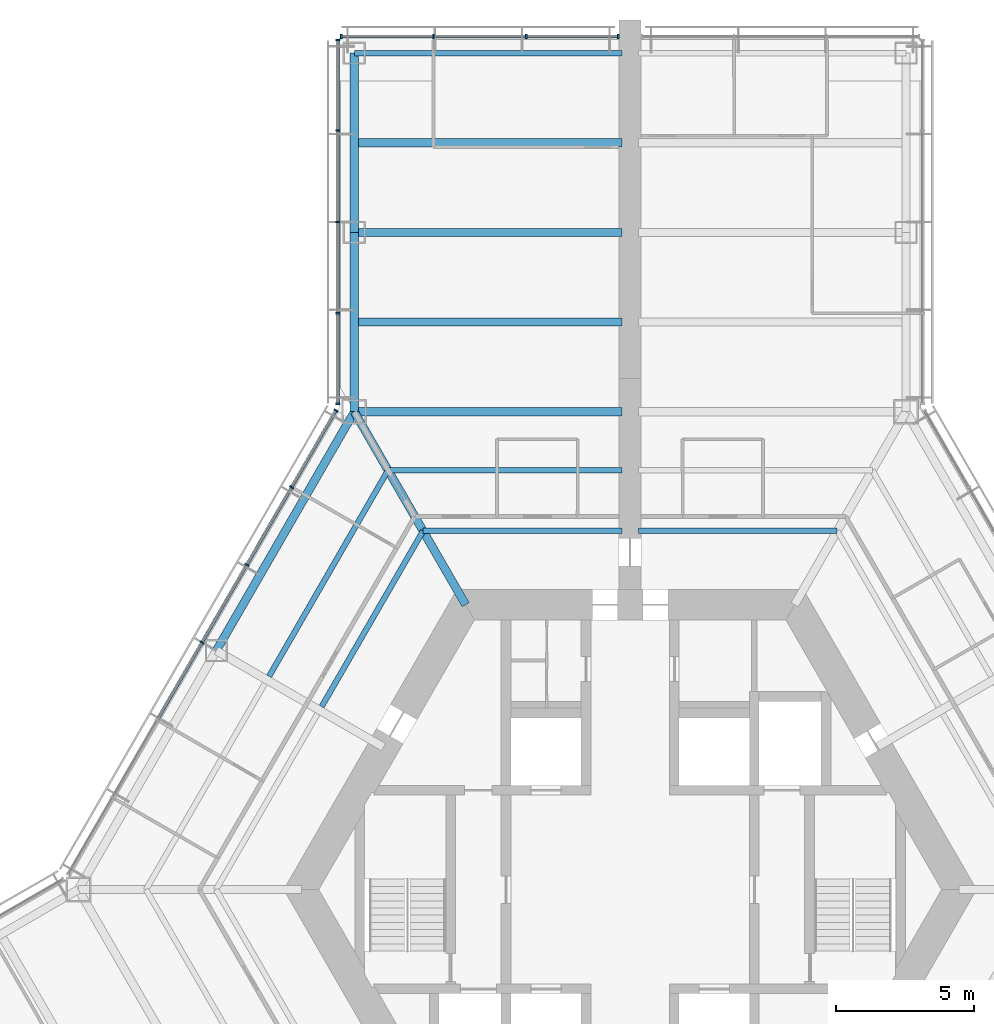
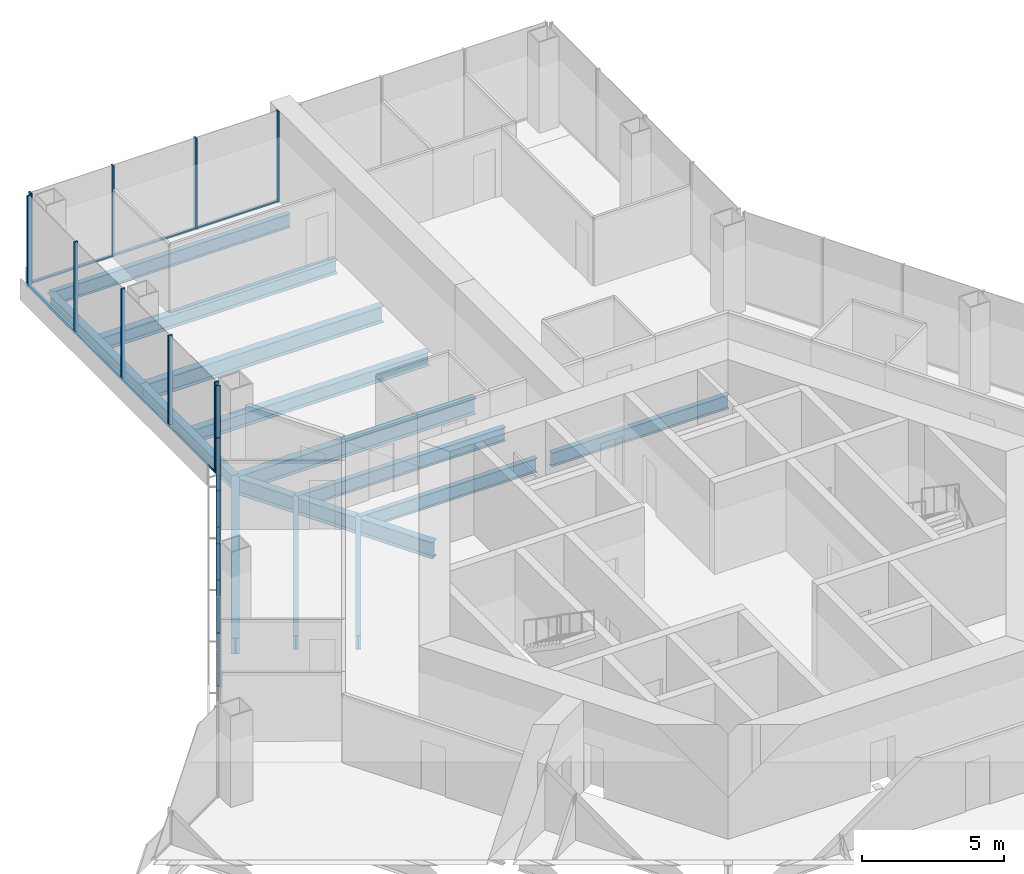
# One storey, part 7 of 18: 24 members, 14 beams, 3 elements without a shape of their own.
"""IFC4 building model written with IfcOpenShell, lengths in metres."""

from ifc_helpers import new_model, si_unit, direction, frame, origin, origin_2d, place, context, subcontext, project, spatial, rectangle, i_section, extrude, material, material_profile, profile_set, type_object, element, aggregate, save


model = new_model("IFC4")

# Units and contexts
model_context = context("Model", 3, precision=1e-05, world=origin(), true_north=direction((0.0, 1.0)))
body_context = subcontext(model_context, "Body", "Model", "MODEL_VIEW")
ifc_project = project(units=[si_unit("LENGTHUNIT", "METRE"), si_unit("AREAUNIT", "SQUARE_METRE"), si_unit("VOLUMEUNIT", "CUBIC_METRE"), si_unit("PLANEANGLEUNIT", "RADIAN"), si_unit("MASSUNIT", "GRAM", prefix="KILO")], contexts=[model_context])

# Site, building, storey
site_placement = place(None, origin())
site = spatial("IfcSite", under=ifc_project, at=site_placement, CompositionType="ELEMENT")
building_placement = place(site_placement, origin())
building = spatial("IfcBuilding", under=site, at=building_placement, Name="Kasaneha Research Tower", CompositionType="ELEMENT")
storey_placement = place(building_placement, frame((0.0, 0.0, 80.699951171875)))
storey = spatial("IfcBuildingStorey", under=building, at=storey_placement, Name="L20", CompositionType="ELEMENT", Elevation=80.699951171875)

# Beams
ifc_material_1 = material(Name="Steel SN490B", Category="steel")
ifc_material_profile_1 = material_profile(ifc_material_1, i_section(OverallWidth=0.199951171875, OverallDepth=0.60009765625, WebThickness=0.010986328125, FlangeThickness=0.01708984375, FilletRadius=0.012939453125, at=origin_2d()), Name="H-600x200x11x17")
ifc_profile_set_1 = profile_set([ifc_material_profile_1], Name="Steel SN490B")
beam_type_1 = type_object("IfcBeamType", Name="B1-3 secondary beam H-600x200x11x17", PredefinedType="JOIST", material=ifc_profile_set_1)
for number, where, z_axis, x_axis, name in (
    (1, (7.505615234375, 13.0, -0.449951171875), (-1.0, 0.0, 0.0), (0.0, -1.0, 0.0), "Secondary beam RS090L1 L20"),
    (2, (-7.505615234375, 13.0, -0.449951171875), (1.0, 0.0, 0.0), (0.0, 1.0, 0.0), "Secondary beam RS090R1 L20"),
):
    element("IfcBeam", number, at=place(storey_placement, frame(where, z_axis=z_axis, x_axis=x_axis)), inside=storey, type_object=beam_type_1, Name=name, PredefinedType="JOIST", context=body_context, shape_type="SweptSolid", body=[
        extrude(i_section(OverallWidth=0.199951171875, OverallDepth=0.60009765625, WebThickness=0.010986328125, FlangeThickness=0.01708984375, FilletRadius=0.012939453125, at=origin_2d()), origin(), (0.0, 0.0, 1.0), 7.20556640625),
    ])
beam_1_placement = place(storey_placement, frame((-8.775634765625, 15.199951171875, -0.449951171875), z_axis=(1.0, 0.0, 0.0), x_axis=(0.0, 1.0, 0.0)))
element("IfcBeam", 3, at=beam_1_placement, inside=storey, type_object=beam_type_1, Name="Secondary beam RS090R2 L20", PredefinedType="JOIST", context=body_context, shape_type="SweptSolid", body=[
    extrude(i_section(OverallWidth=0.199951171875, OverallDepth=0.60009765625, WebThickness=0.010986328125, FlangeThickness=0.01708984375, FilletRadius=0.012939453125, at=origin_2d()), origin(), (0.0, 0.0, 1.0), 8.4755859375),
])
beam_2_placement = place(storey_placement, frame((-7.505615234375, 13.0, -0.449951171875), z_axis=(-0.499994443168, -0.866028611999, 0.0), x_axis=(0.866028611999, -0.499994443168, 0.0)))
element("IfcBeam", 4, at=beam_2_placement, inside=storey, type_object=beam_type_1, Name="Secondary beam RS150L1 L20", PredefinedType="JOIST", context=body_context, shape_type="SweptSolid", body=[
    extrude(i_section(OverallWidth=0.199951171875, OverallDepth=0.60009765625, WebThickness=0.010986328125, FlangeThickness=0.01708984375, FilletRadius=0.012939453125, at=origin_2d()), origin(), (0.0, 0.0, 1.0), 7.35546875),
])
beam_3_placement = place(storey_placement, frame((-8.775634765625, 15.199951171875, -0.449951171875), z_axis=(-0.500017275495, -0.866015429543, 0.0), x_axis=(0.866015429543, -0.500017275495, 0.0)))
element("IfcBeam", 5, at=beam_3_placement, inside=storey, type_object=beam_type_1, Name="Secondary beam RS150L2 L20", PredefinedType="JOIST", context=body_context, shape_type="SweptSolid", body=[
    extrude(i_section(OverallWidth=0.199951171875, OverallDepth=0.60009765625, WebThickness=0.010986328125, FlangeThickness=0.01708984375, FilletRadius=0.012939453125, at=origin_2d()), origin(), (0.0, 0.0, 1.0), 8.625732421875),
])
ifc_material_2 = material(Name="Steel SN490B", Category="steel")
ifc_material_profile_2 = material_profile(ifc_material_2, i_section(OverallWidth=0.300048828125, OverallDepth=0.58203125, WebThickness=0.011962890625, FlangeThickness=0.01708984375, FilletRadius=0.012939453125, at=origin_2d()), Name="H-582x300x12x17")
ifc_profile_set_2 = profile_set([ifc_material_profile_2], Name="Steel SN490B")
beam_type_2 = type_object("IfcBeamType", Name="B2-3 secondary beam H-582x300x12x17", PredefinedType="JOIST", material=ifc_profile_set_2)
for number, where, z_axis, x_axis, name in (
    (6, (-10.0, 20.570556640625, -0.44091796875), (1.0, 0.0, 0.0), (0.0, 1.0, 0.0), "Secondary beam WBAN1 L20"),
    (7, (-10.0, 27.070556640625, -0.44091796875), (1.0, 0.0, 0.0), (0.0, 1.0, 0.0), "Secondary beam WBAN2 L20"),
):
    element("IfcBeam", number, at=place(storey_placement, frame(where, z_axis=z_axis, x_axis=x_axis)), inside=storey, type_object=beam_type_2, Name=name, PredefinedType="JOIST", context=body_context, shape_type="SweptSolid", body=[
        extrude(i_section(OverallWidth=0.300048828125, OverallDepth=0.58203125, WebThickness=0.011962890625, FlangeThickness=0.01708984375, FilletRadius=0.012939453125, at=origin_2d()), origin(), (0.0, 0.0, 1.0), 9.699951171875),
    ])

# Curtain wall, members
ifc_material_3 = material(Name="Glass and aluminium", Category="aluminium")
curtain_wall_type = type_object("IfcCurtainWallType", Name="Low-rise office curtain wall", PredefinedType="USERDEFINED", material=ifc_material_3)
curtain_wall_1_placement = place(storey_placement, origin())
curtain_wall_1 = element("IfcCurtainWall", 8, at=curtain_wall_1_placement, inside=storey, type_object=curtain_wall_type, Name="CW-O1 L20 run 10a", ObjectType="UNITISED CURTAIN WALL", PredefinedType="USERDEFINED")
ifc_material_4 = material(Name="Aluminium 6063-T6", Category="aluminium")
ifc_material_profile_3 = material_profile(ifc_material_4, rectangle(XDim=0.06005859375, YDim=0.159912109375, at=origin_2d()), Name="CW-O1 mullion 60x160")
ifc_profile_set_3 = profile_set([ifc_material_profile_3], Name="Aluminium 6063-T6")
member_type_1 = type_object("IfcMemberType", Name="CW-O1 mullion", PredefinedType="MULLION", material=ifc_profile_set_3)
member_1_placement = place(storey_placement, frame((-0.429931640625, 30.92041015625, 0.0), z_axis=(0.0, 0.0, 1.0), x_axis=(-1.0, 0.0, 0.0)))
member_1 = element("IfcMember", 9, at=member_1_placement, type_object=member_type_1, Name="CW-O1 mullion 1", PredefinedType="MULLION", context=body_context, shape_type="SweptSolid", body=[
    extrude(rectangle(XDim=0.06005859375, YDim=0.159912109375, at=origin_2d()), origin(), (0.0, 0.0, 1.0), 3.900146484375),
])
member_2_placement = place(storey_placement, frame((-3.7666015625, 30.92041015625, 0.0), z_axis=(0.0, 0.0, 1.0), x_axis=(-1.0, 0.0, 0.0)))
member_2 = element("IfcMember", 10, at=member_2_placement, type_object=member_type_1, Name="CW-O1 mullion 2", PredefinedType="MULLION", context=body_context, shape_type="SweptSolid", body=[
    extrude(rectangle(XDim=0.06005859375, YDim=0.159912109375, at=origin_2d()), origin(), (0.0, 0.0, 1.0), 3.900146484375),
])
member_3_placement = place(storey_placement, frame((-7.13330078125, 30.92041015625, 0.0), z_axis=(0.0, 0.0, 1.0), x_axis=(-1.0, 0.0, 0.0)))
member_3 = element("IfcMember", 11, at=member_3_placement, type_object=member_type_1, Name="CW-O1 mullion 3", PredefinedType="MULLION", context=body_context, shape_type="SweptSolid", body=[
    extrude(rectangle(XDim=0.06005859375, YDim=0.159912109375, at=origin_2d()), origin(), (0.0, 0.0, 1.0), 3.900146484375),
])
member_4_placement = place(storey_placement, frame((-10.469970703125, 30.92041015625, 0.0), z_axis=(0.0, 0.0, 1.0), x_axis=(-1.0, 0.0, 0.0)))
member_4 = element("IfcMember", 12, at=member_4_placement, type_object=member_type_1, Name="CW-O1 mullion 4", PredefinedType="MULLION", context=body_context, shape_type="SweptSolid", body=[
    extrude(rectangle(XDim=0.06005859375, YDim=0.159912109375, at=origin_2d()), origin(), (0.0, 0.0, 1.0), 3.900146484375),
])

curtain_wall_2_placement = place(storey_placement, origin())
curtain_wall_2 = element("IfcCurtainWall", 13, at=curtain_wall_2_placement, inside=storey, type_object=curtain_wall_type, Name="CW-O1 L20 run 11a", ObjectType="UNITISED CURTAIN WALL", PredefinedType="USERDEFINED")
member_5_placement = place(storey_placement, frame((-10.60009765625, 30.79052734375, 0.0), z_axis=(0.0, 0.0, 1.0), x_axis=(0.0, -1.0, 0.0)))
member_5 = element("IfcMember", 14, at=member_5_placement, type_object=member_type_1, Name="CW-O1 mullion 1", PredefinedType="MULLION", context=body_context, shape_type="SweptSolid", body=[
    extrude(rectangle(XDim=0.06005859375, YDim=0.159912109375, at=origin_2d()), origin(), (0.0, 0.0, 1.0), 3.900146484375),
])
member_6_placement = place(storey_placement, frame((-10.60009765625, 27.5107421875, 0.0), z_axis=(0.0, 0.0, 1.0), x_axis=(0.0, -1.0, 0.0)))
member_6 = element("IfcMember", 15, at=member_6_placement, type_object=member_type_1, Name="CW-O1 mullion 2", PredefinedType="MULLION", context=body_context, shape_type="SweptSolid", body=[
    extrude(rectangle(XDim=0.06005859375, YDim=0.159912109375, at=origin_2d()), origin(), (0.0, 0.0, 1.0), 3.900146484375),
])
member_7_placement = place(storey_placement, frame((-10.60009765625, 24.200927734375, 0.0), z_axis=(0.0, 0.0, 1.0), x_axis=(0.0, -1.0, 0.0)))
member_7 = element("IfcMember", 16, at=member_7_placement, type_object=member_type_1, Name="CW-O1 mullion 3", PredefinedType="MULLION", context=body_context, shape_type="SweptSolid", body=[
    extrude(rectangle(XDim=0.06005859375, YDim=0.159912109375, at=origin_2d()), origin(), (0.0, 0.0, 1.0), 3.900146484375),
])
member_8_placement = place(storey_placement, frame((-10.60009765625, 20.89111328125, 0.0), z_axis=(0.0, 0.0, 1.0), x_axis=(0.0, -1.0, 0.0)))
member_8 = element("IfcMember", 17, at=member_8_placement, type_object=member_type_1, Name="CW-O1 mullion 4", PredefinedType="MULLION", context=body_context, shape_type="SweptSolid", body=[
    extrude(rectangle(XDim=0.06005859375, YDim=0.159912109375, at=origin_2d()), origin(), (0.0, 0.0, 1.0), 3.900146484375),
])
member_9_placement = place(storey_placement, frame((-10.60009765625, 17.611328125, 0.0), z_axis=(0.0, 0.0, 1.0), x_axis=(0.0, -1.0, 0.0)))
member_9 = element("IfcMember", 18, at=member_9_placement, type_object=member_type_1, Name="CW-O1 mullion 5", PredefinedType="MULLION", context=body_context, shape_type="SweptSolid", body=[
    extrude(rectangle(XDim=0.06005859375, YDim=0.159912109375, at=origin_2d()), origin(), (0.0, 0.0, 1.0), 3.900146484375),
])

curtain_wall_3_placement = place(storey_placement, origin())
curtain_wall_3 = element("IfcCurtainWall", 19, at=curtain_wall_3_placement, inside=storey, type_object=curtain_wall_type, Name="CW-O1 L20 run 12a", ObjectType="UNITISED CURTAIN WALL", PredefinedType="USERDEFINED")
member_10_placement = place(storey_placement, frame((-10.6650390625, 17.36865234375, 0.0), z_axis=(0.0, 0.0, 1.0), x_axis=(-0.49999996188, -0.866025425793, 0.0)))
member_10 = element("IfcMember", 20, at=member_10_placement, type_object=member_type_1, Name="CW-O1 mullion 1", PredefinedType="MULLION", context=body_context, shape_type="SweptSolid", body=[
    extrude(rectangle(XDim=0.06005859375, YDim=0.159912109375, at=origin_2d()), origin(), (0.0, 0.0, 1.0), 3.900146484375),
])
member_11_placement = place(storey_placement, frame((-12.273193359375, 14.583251953125, 0.0), z_axis=(0.0, 0.0, 1.0), x_axis=(-0.49999996188, -0.866025425793, 0.0)))
member_11 = element("IfcMember", 21, at=member_11_placement, type_object=member_type_1, Name="CW-O1 mullion 2", PredefinedType="MULLION", context=body_context, shape_type="SweptSolid", body=[
    extrude(rectangle(XDim=0.06005859375, YDim=0.159912109375, at=origin_2d()), origin(), (0.0, 0.0, 1.0), 3.900146484375),
])
member_12_placement = place(storey_placement, frame((-13.896484375, 11.771728515625, 0.0), z_axis=(0.0, 0.0, 1.0), x_axis=(-0.49999996188, -0.866025425793, 0.0)))
member_12 = element("IfcMember", 22, at=member_12_placement, type_object=member_type_1, Name="CW-O1 mullion 3", PredefinedType="MULLION", context=body_context, shape_type="SweptSolid", body=[
    extrude(rectangle(XDim=0.06005859375, YDim=0.159912109375, at=origin_2d()), origin(), (0.0, 0.0, 1.0), 3.900146484375),
])
member_13_placement = place(storey_placement, frame((-15.51953125, 8.960205078125, 0.0), z_axis=(0.0, 0.0, 1.0), x_axis=(-0.49999996188, -0.866025425793, 0.0)))
member_13 = element("IfcMember", 23, at=member_13_placement, type_object=member_type_1, Name="CW-O1 mullion 4", PredefinedType="MULLION", context=body_context, shape_type="SweptSolid", body=[
    extrude(rectangle(XDim=0.06005859375, YDim=0.159912109375, at=origin_2d()), origin(), (0.0, 0.0, 1.0), 3.900146484375),
])

# Member
ifc_material_5 = material(Name="Aluminium 6063-T6", Category="aluminium")
ifc_material_profile_4 = material_profile(ifc_material_5, rectangle(XDim=0.1201171875, YDim=0.06005859375, at=origin_2d()), Name="CW-O1 transom 120x60")
ifc_profile_set_4 = profile_set([ifc_material_profile_4], Name="Aluminium 6063-T6")
member_type_2 = type_object("IfcMemberType", Name="CW-O1 transom", PredefinedType="USERDEFINED", material=ifc_profile_set_4)
member_14_placement = place(storey_placement, frame((-0.4599609375, 30.92041015625, 0.030029296875), z_axis=(-1.0, 0.0, 0.0), x_axis=(0.0, -1.0, 0.0)))
member_14 = element("IfcMember", 24, at=member_14_placement, type_object=member_type_2, Name="CW-O1 transom 1", ObjectType="TRANSOM", PredefinedType="USERDEFINED", context=body_context, shape_type="SweptSolid", body=[
    extrude(rectangle(XDim=0.1201171875, YDim=0.06005859375, at=origin_2d()), origin(), (0.0, 0.0, 1.0), 3.276611328125),
])

member_15_placement = place(storey_placement, frame((-3.796630859375, 30.92041015625, 0.030029296875), z_axis=(-1.0, 0.0, 0.0), x_axis=(0.0, -1.0, 0.0)))
member_15 = element("IfcMember", 25, at=member_15_placement, type_object=member_type_2, Name="CW-O1 transom 2", ObjectType="TRANSOM", PredefinedType="USERDEFINED", context=body_context, shape_type="SweptSolid", body=[
    extrude(rectangle(XDim=0.1201171875, YDim=0.06005859375, at=origin_2d()), origin(), (0.0, 0.0, 1.0), 3.306640625),
])

member_16_placement = place(storey_placement, frame((-7.163330078125, 30.92041015625, 0.030029296875), z_axis=(-1.0, 0.0, 0.0), x_axis=(0.0, -1.0, 0.0)))
member_16 = element("IfcMember", 26, at=member_16_placement, type_object=member_type_2, Name="CW-O1 transom 3", ObjectType="TRANSOM", PredefinedType="USERDEFINED", context=body_context, shape_type="SweptSolid", body=[
    extrude(rectangle(XDim=0.1201171875, YDim=0.06005859375, at=origin_2d()), origin(), (0.0, 0.0, 1.0), 3.276611328125),
])

aggregate(curtain_wall_1, [member_1, member_2, member_3, member_4, member_14, member_15, member_16])

member_17_placement = place(storey_placement, frame((-10.60009765625, 30.760498046875, 0.030029296875), z_axis=(0.0, -1.0, 0.0), x_axis=(1.0, 0.0, 0.0)))
member_17 = element("IfcMember", 27, at=member_17_placement, type_object=member_type_2, Name="CW-O1 transom 1", ObjectType="TRANSOM", PredefinedType="USERDEFINED", context=body_context, shape_type="SweptSolid", body=[
    extrude(rectangle(XDim=0.1201171875, YDim=0.06005859375, at=origin_2d()), origin(), (0.0, 0.0, 1.0), 3.2197265625),
])

member_18_placement = place(storey_placement, frame((-10.60009765625, 27.480712890625, 0.030029296875), z_axis=(0.0, -1.0, 0.0), x_axis=(1.0, 0.0, 0.0)))
member_18 = element("IfcMember", 28, at=member_18_placement, type_object=member_type_2, Name="CW-O1 transom 2", ObjectType="TRANSOM", PredefinedType="USERDEFINED", context=body_context, shape_type="SweptSolid", body=[
    extrude(rectangle(XDim=0.1201171875, YDim=0.06005859375, at=origin_2d()), origin(), (0.0, 0.0, 1.0), 3.249755859375),
])

member_19_placement = place(storey_placement, frame((-10.60009765625, 24.1708984375, 0.030029296875), z_axis=(0.0, -1.0, 0.0), x_axis=(1.0, 0.0, 0.0)))
member_19 = element("IfcMember", 29, at=member_19_placement, type_object=member_type_2, Name="CW-O1 transom 3", ObjectType="TRANSOM", PredefinedType="USERDEFINED", context=body_context, shape_type="SweptSolid", body=[
    extrude(rectangle(XDim=0.1201171875, YDim=0.06005859375, at=origin_2d()), origin(), (0.0, 0.0, 1.0), 3.249755859375),
])

member_20_placement = place(storey_placement, frame((-10.60009765625, 20.861083984375, 0.030029296875), z_axis=(0.0, -1.0, 0.0), x_axis=(1.0, 0.0, 0.0)))
member_20 = element("IfcMember", 30, at=member_20_placement, type_object=member_type_2, Name="CW-O1 transom 4", ObjectType="TRANSOM", PredefinedType="USERDEFINED", context=body_context, shape_type="SweptSolid", body=[
    extrude(rectangle(XDim=0.1201171875, YDim=0.06005859375, at=origin_2d()), origin(), (0.0, 0.0, 1.0), 3.2197265625),
])

aggregate(curtain_wall_2, [member_5, member_6, member_7, member_8, member_9, member_17, member_18, member_19, member_20])

member_21_placement = place(storey_placement, frame((-10.679931640625, 17.3427734375, 0.030029296875), z_axis=(-0.500023726918, -0.866011704609, 0.0), x_axis=(0.866011704609, -0.500023726918, 0.0)))
member_21 = element("IfcMember", 31, at=member_21_placement, type_object=member_type_2, Name="CW-O1 transom 1", ObjectType="TRANSOM", PredefinedType="USERDEFINED", context=body_context, shape_type="SweptSolid", body=[
    extrude(rectangle(XDim=0.1201171875, YDim=0.06005859375, at=origin_2d()), origin(), (0.0, 0.0, 1.0), 3.156494140625),
])

member_22_placement = place(storey_placement, frame((-12.2880859375, 14.55712890625, 0.030029296875), z_axis=(-0.500012062035, -0.866018439653, 0.0), x_axis=(0.866018439653, -0.500012062035, 0.0)))
member_22 = element("IfcMember", 32, at=member_22_placement, type_object=member_type_2, Name="CW-O1 transom 2", ObjectType="TRANSOM", PredefinedType="USERDEFINED", context=body_context, shape_type="SweptSolid", body=[
    extrude(rectangle(XDim=0.1201171875, YDim=0.06005859375, at=origin_2d()), origin(), (0.0, 0.0, 1.0), 3.1865234375),
])

member_23_placement = place(storey_placement, frame((-13.911376953125, 11.745849609375, 0.030029296875), z_axis=(-0.500012062035, -0.866018439653, 0.0), x_axis=(0.866018439653, -0.500012062035, 0.0)))
member_23 = element("IfcMember", 33, at=member_23_placement, type_object=member_type_2, Name="CW-O1 transom 3", ObjectType="TRANSOM", PredefinedType="USERDEFINED", context=body_context, shape_type="SweptSolid", body=[
    extrude(rectangle(XDim=0.1201171875, YDim=0.06005859375, at=origin_2d()), origin(), (0.0, 0.0, 1.0), 3.1865234375),
])

member_24_placement = place(storey_placement, frame((-15.53466796875, 8.934326171875, 0.030029296875), z_axis=(-0.500012062035, -0.866018439653, 0.0), x_axis=(0.866018439653, -0.500012062035, 0.0)))
member_24 = element("IfcMember", 34, at=member_24_placement, type_object=member_type_2, Name="CW-O1 transom 4", ObjectType="TRANSOM", PredefinedType="USERDEFINED", context=body_context, shape_type="SweptSolid", body=[
    extrude(rectangle(XDim=0.1201171875, YDim=0.06005859375, at=origin_2d()), origin(), (0.0, 0.0, 1.0), 3.1865234375),
])

aggregate(curtain_wall_3, [member_10, member_11, member_12, member_13, member_21, member_22, member_23, member_24])

# Beams
ifc_material_6 = material(Name="Steel SN490B", Category="steel")
ifc_material_profile_5 = material_profile(ifc_material_6, i_section(OverallWidth=0.300048828125, OverallDepth=0.699951171875, WebThickness=0.012939453125, FlangeThickness=0.02392578125, FilletRadius=0.01806640625, at=origin_2d()), Name="H-700x300x13x24")
ifc_profile_set_5 = profile_set([ifc_material_profile_5], Name="Steel SN490B")
beam_type_3 = type_object("IfcBeamType", Name="G1-3 radial girder H-700x300x13x24", PredefinedType="BEAM", material=ifc_profile_set_5)
beam_4_placement = place(storey_placement, frame((-5.961181640625, 10.324951171875, -0.5), z_axis=(-0.49999105496, 0.866030568144, 0.0), x_axis=(-0.866030568144, -0.49999105496, 0.0)))
element("IfcBeam", 35, at=beam_4_placement, inside=storey, type_object=beam_type_3, Name="Radial girder RV120 L20", PredefinedType="BEAM", context=body_context, shape_type="SweptSolid", body=[
    extrude(i_section(OverallWidth=0.300048828125, OverallDepth=0.699951171875, WebThickness=0.012939453125, FlangeThickness=0.02392578125, FilletRadius=0.01806640625, at=origin_2d()), origin(), (0.0, 0.0, 1.0), 8.077880859375),
])
ifc_material_7 = material(Name="Steel SN490B", Category="steel")
ifc_material_profile_6 = material_profile(ifc_material_7, i_section(OverallWidth=0.300048828125, OverallDepth=0.69189453125, WebThickness=0.012939453125, FlangeThickness=0.02001953125, FilletRadius=0.01806640625, at=origin_2d()), Name="H-692x300x13x20")
ifc_profile_set_6 = profile_set([ifc_material_profile_6], Name="Steel SN490B")
beam_type_4 = type_object("IfcBeamType", Name="G3-3 plate edge girder H-692x300x13x20", PredefinedType="BEAM", material=ifc_profile_set_6)
beam_5_placement = place(storey_placement, frame((-10.0, 17.320556640625, -0.495849609375), z_axis=(1.0, 0.0, 0.0), x_axis=(0.0, 1.0, 0.0)))
element("IfcBeam", 36, at=beam_5_placement, inside=storey, type_object=beam_type_4, Name="Plate edge girder PEAN L20", PredefinedType="BEAM", context=body_context, shape_type="SweptSolid", body=[
    extrude(i_section(OverallWidth=0.300048828125, OverallDepth=0.69189453125, WebThickness=0.012939453125, FlangeThickness=0.02001953125, FilletRadius=0.01806640625, at=origin_2d()), origin(), (0.0, 0.0, 1.0), 9.699951171875),
])
ifc_material_8 = material(Name="Steel SN490B", Category="steel")
ifc_material_profile_7 = material_profile(ifc_material_8, i_section(OverallWidth=0.300048828125, OverallDepth=0.699951171875, WebThickness=0.012939453125, FlangeThickness=0.02392578125, FilletRadius=0.01806640625, at=origin_2d()), Name="H-700x300x13x24")
ifc_profile_set_7 = profile_set([ifc_material_profile_7], Name="Steel SN490B")
beam_type_5 = type_object("IfcBeamType", Name="G4-3 wing girder H-700x300x13x24", PredefinedType="BEAM", material=ifc_profile_set_7)
beam_6_placement = place(storey_placement, frame((-10.0, 23.820556640625, -0.5), z_axis=(1.0, 0.0, 0.0), x_axis=(0.0, 1.0, 0.0)))
element("IfcBeam", 37, at=beam_6_placement, inside=storey, type_object=beam_type_5, Name="Wing girder WGAN L20", PredefinedType="BEAM", context=body_context, shape_type="SweptSolid", body=[
    extrude(i_section(OverallWidth=0.300048828125, OverallDepth=0.699951171875, WebThickness=0.012939453125, FlangeThickness=0.02392578125, FilletRadius=0.01806640625, at=origin_2d()), origin(), (0.0, 0.0, 1.0), 9.699951171875),
])
ifc_material_9 = material(Name="Steel SN490B", Category="steel")
ifc_material_profile_8 = material_profile(ifc_material_9, i_section(OverallWidth=0.300048828125, OverallDepth=0.69189453125, WebThickness=0.012939453125, FlangeThickness=0.02001953125, FilletRadius=0.01806640625, at=origin_2d()), Name="H-692x300x13x20")
ifc_profile_set_8 = profile_set([ifc_material_profile_8], Name="Steel SN490B")
beam_type_6 = type_object("IfcBeamType", Name="SB1-3 spandrel beam H-692x300x13x20", PredefinedType="SPANDREL", material=ifc_profile_set_8)
beam_7_placement = place(storey_placement, frame((-10.0, 17.320556640625, -0.495849609375), z_axis=(-0.499993662806, -0.866029062534, 0.0), x_axis=(0.866029062534, -0.499993662806, 0.0)))
element("IfcBeam", 38, at=beam_7_placement, inside=storey, type_object=beam_type_6, Name="Spandrel beam SR150L L20", PredefinedType="SPANDREL", context=body_context, shape_type="SweptSolid", body=[
    extrude(i_section(OverallWidth=0.300048828125, OverallDepth=0.69189453125, WebThickness=0.012939453125, FlangeThickness=0.02001953125, FilletRadius=0.01806640625, at=origin_2d()), origin(), (0.0, 0.0, 1.0), 10.000244140625),
])
ifc_material_10 = material(Name="Steel SN490B", Category="steel")
ifc_material_profile_9 = material_profile(ifc_material_10, i_section(OverallWidth=0.300048828125, OverallDepth=0.58203125, WebThickness=0.011962890625, FlangeThickness=0.01708984375, FilletRadius=0.012939453125, at=origin_2d()), Name="H-582x300x12x17")
ifc_profile_set_9 = profile_set([ifc_material_profile_9], Name="Steel SN490B")
beam_type_7 = type_object("IfcBeamType", Name="SB2-3 spandrel beam H-582x300x12x17", PredefinedType="SPANDREL", material=ifc_profile_set_9)
for number, where, z_axis, x_axis, name in (
    (39, (-10.0, 17.320556640625, -0.44091796875), (0.0, 1.0, 0.0), (-1.0, 0.0, 0.0), "Spandrel beam WSAN1 L20"),
    (40, (-10.0, 23.820556640625, -0.44091796875), (0.0, 1.0, 0.0), (-1.0, 0.0, 0.0), "Spandrel beam WSAN2 L20"),
):
    element("IfcBeam", number, at=place(storey_placement, frame(where, z_axis=z_axis, x_axis=x_axis)), inside=storey, type_object=beam_type_7, Name=name, PredefinedType="SPANDREL", context=body_context, shape_type="SweptSolid", body=[
        extrude(i_section(OverallWidth=0.300048828125, OverallDepth=0.58203125, WebThickness=0.011962890625, FlangeThickness=0.01708984375, FilletRadius=0.012939453125, at=origin_2d()), origin(), (0.0, 0.0, 1.0), 6.5),
    ])
ifc_material_11 = material(Name="Steel SN490B", Category="steel")
ifc_material_profile_10 = material_profile(ifc_material_11, i_section(OverallWidth=0.199951171875, OverallDepth=0.60009765625, WebThickness=0.010986328125, FlangeThickness=0.01708984375, FilletRadius=0.012939453125, at=origin_2d()), Name="H-600x200x11x17")
ifc_profile_set_10 = profile_set([ifc_material_profile_10], Name="Steel SN490B")
beam_type_8 = type_object("IfcBeamType", Name="SB3-3 spandrel beam H-600x200x11x17", PredefinedType="SPANDREL", material=ifc_profile_set_10)
beam_8_placement = place(storey_placement, frame((-10.0, 30.320556640625, -0.449951171875), z_axis=(1.0, 0.0, 0.0), x_axis=(0.0, 1.0, 0.0)))
element("IfcBeam", 41, at=beam_8_placement, inside=storey, type_object=beam_type_8, Name="Spandrel beam WTAN L20", PredefinedType="SPANDREL", context=body_context, shape_type="SweptSolid", body=[
    extrude(i_section(OverallWidth=0.199951171875, OverallDepth=0.60009765625, WebThickness=0.010986328125, FlangeThickness=0.01708984375, FilletRadius=0.012939453125, at=origin_2d()), origin(), (0.0, 0.0, 1.0), 9.699951171875),
])

save(model, "model.ifc")
